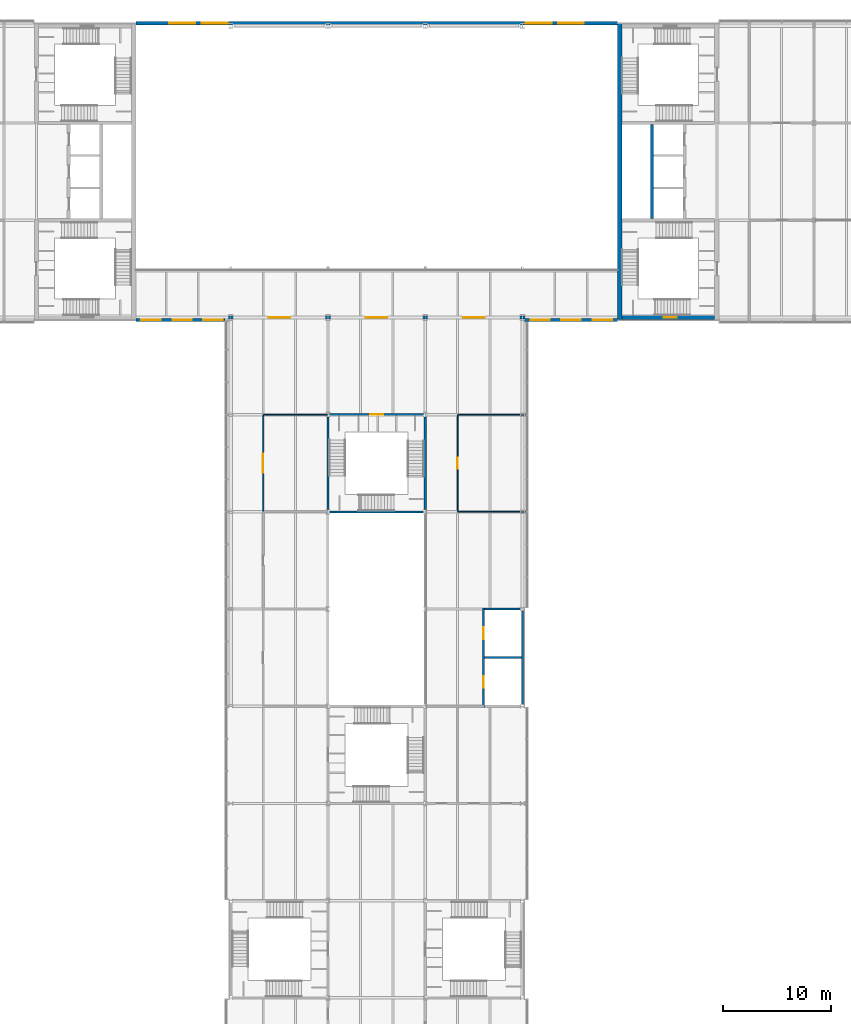
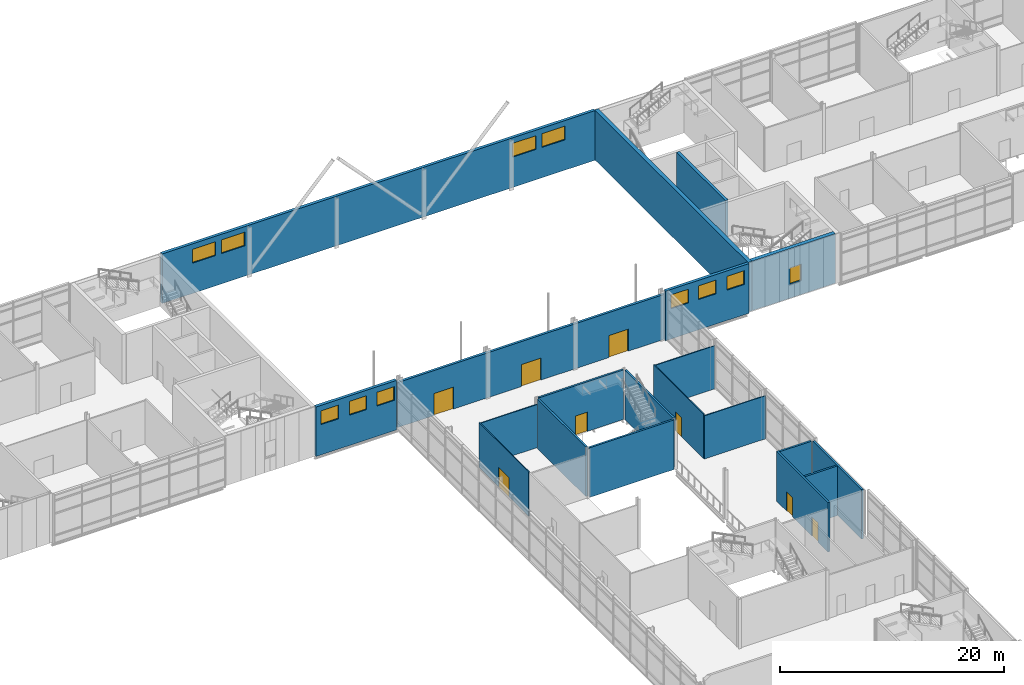
# One storey, part 41 of 56: 20 walls, 11 windows, 8 doors, 19 openings.
"""IFC4 building model written with IfcOpenShell, lengths in metres."""

from ifc_helpers import new_model, si_unit, direction, frame, frame_2d, origin, place, context, subcontext, project, spatial, rectangle, extrude, material, layer, layer_set, type_object, element, fill, save


model = new_model("IFC4")

# Units and contexts
model_context = context("Model", 3, precision=1e-05, world=origin(), true_north=direction((0.0, 1.0)))
body_context = subcontext(model_context, "Body", "Model", "MODEL_VIEW")
ifc_project = project(units=[si_unit("LENGTHUNIT", "METRE"), si_unit("AREAUNIT", "SQUARE_METRE"), si_unit("VOLUMEUNIT", "CUBIC_METRE"), si_unit("PLANEANGLEUNIT", "RADIAN"), si_unit("MASSUNIT", "GRAM", prefix="KILO")], contexts=[model_context])

# Site, building, storey
site_placement = place(None, origin())
site = spatial("IfcSite", under=ifc_project, at=site_placement, CompositionType="ELEMENT")
building_placement = place(site_placement, origin())
building = spatial("IfcBuilding", under=site, at=building_placement, Name="Azimuth Sports and Learning Centre", CompositionType="ELEMENT")
storey_placement = place(building_placement, frame((0.0, 0.0, 5.39990234375)))
storey = spatial("IfcBuildingStorey", under=building, at=storey_placement, Name="L01", CompositionType="ELEMENT", Elevation=5.39990234375)

# Wall
ifc_material_1 = material(Name="Dense masonry blockwork", Category="masonry")
ifc_layer_1 = layer(ifc_material_1, 0.199951171875)
ifc_layer_set_1 = layer_set([ifc_layer_1], Name="Dense masonry blockwork")
wall_type_1 = type_object("IfcWallType", Name="Blockwork wall 200 EI 120", PredefinedType="SOLIDWALL", material=ifc_layer_set_1)
wall_1_placement = place(storey_placement, frame((95.5, 58.5, 0.0), z_axis=(0.0, 0.0, 1.0), x_axis=(1.0, 0.0, 0.0)))
element("IfcWall", 1, at=wall_1_placement, inside=storey, type_object=wall_type_1, Name="SD-STL-1-L01", PredefinedType="SOLIDWALL", context=body_context, shape_type="SweptSolid", body=[
    extrude(rectangle(XDim=3.39990234375, YDim=0.199951171875, at=frame_2d((1.699951171875, 0.0))), origin(), (0.0, 0.0, 1.0), 5.400146484375),
])

# Wall, openings, windows
ifc_material_2 = material(Name="Insulated cladding wall")
ifc_layer_2 = layer(ifc_material_2, 0.300048828125)
ifc_layer_set_2 = layer_set([ifc_layer_2], Name="Insulated cladding wall")
wall_type_2 = type_object("IfcWallType", Name="Hall cladding wall 300", PredefinedType="SOLIDWALL", material=ifc_layer_set_2)
wall_2_placement = place(storey_placement, frame((63.199951171875, 89.760009765625, 0.0), z_axis=(0.0, 0.0, 1.0), x_axis=(1.0, 0.0, 0.0)))
wall_2 = element("IfcWall", 2, at=wall_2_placement, inside=storey, type_object=wall_type_2, Name="Hall wall S-HALL W L01", PredefinedType="SOLIDWALL", context=body_context, shape_type="SweptSolid", body=[
    extrude(rectangle(XDim=8.260009765625, YDim=0.300048828125, at=frame_2d((4.1298828125, 0.0))), origin(), (0.0, 0.0, 1.0), 5.400146484375),
])
opening_1_placement = place(wall_2_placement, frame((0.5, 0.0, 3.300048828125)))
opening_1 = element("IfcOpeningElement", 3, at=opening_1_placement, cuts=wall_2, Name="Opening W01-003", PredefinedType="OPENING", context=body_context, shape_type="SweptSolid", body=[
    extrude(rectangle(XDim=1.800048828125, YDim=1.5, at=frame_2d((0.89990234375, 0.75))), frame((0.0, 0.1611328125, 0.0), z_axis=(0.0, -1.0, 0.0), x_axis=(1.0, 0.0, 0.0)), (0.0, 0.0, 1.0), 0.322021484375),
])
opening_2_placement = place(wall_2_placement, frame((3.39990234375, 0.0, 3.300048828125)))
opening_2 = element("IfcOpeningElement", 4, at=opening_2_placement, cuts=wall_2, Name="Opening W01-004", PredefinedType="OPENING", context=body_context, shape_type="SweptSolid", body=[
    extrude(rectangle(XDim=1.800048828125, YDim=1.5, at=frame_2d((0.89990234375, 0.75))), frame((0.0, 0.1611328125, 0.0), z_axis=(0.0, -1.0, 0.0), x_axis=(1.0, 0.0, 0.0)), (0.0, 0.0, 1.0), 0.322021484375),
])
opening_3_placement = place(wall_2_placement, frame((6.25, 0.0, 3.300048828125)))
opening_3 = element("IfcOpeningElement", 5, at=opening_3_placement, cuts=wall_2, Name="Opening W01-005", PredefinedType="OPENING", context=body_context, shape_type="SweptSolid", body=[
    extrude(rectangle(XDim=1.800048828125, YDim=1.5, at=frame_2d((0.89990234375, 0.75))), frame((0.0, 0.1611328125, 0.0), z_axis=(0.0, -1.0, 0.0), x_axis=(1.0, 0.0, 0.0)), (0.0, 0.0, 1.0), 0.322021484375),
])
ifc_material_3 = material(Name="Aluminium and glass", Category="aluminium")
window_type_1 = type_object("IfcWindowType", Name="Hall A end bay window 1800x1500", PartitioningType="SINGLE_PANEL", PredefinedType="WINDOW", material=ifc_material_3)
window_1_placement = place(opening_1_placement, origin())
window_1 = element("IfcWindow", 6, at=window_1_placement, inside=storey, type_object=window_type_1, Name="Window W01-003", OverallHeight=1.5, OverallWidth=1.800048828125, PartitioningType="SINGLE_PANEL", PredefinedType="WINDOW", context=body_context, shape_type="SweptSolid", body=[
    extrude(rectangle(XDim=1.800048828125, YDim=1.5, at=frame_2d((0.89990234375, 0.75))), frame((0.0, 0.030029296875, 0.0), z_axis=(0.0, -1.0, 0.0), x_axis=(1.0, 0.0, 0.0)), (0.0, 0.0, 1.0), 0.06005859375),
])
fill(opening_1, window_1)
window_2_placement = place(opening_2_placement, origin())
window_2 = element("IfcWindow", 7, at=window_2_placement, inside=storey, type_object=window_type_1, Name="Window W01-004", OverallHeight=1.5, OverallWidth=1.800048828125, PartitioningType="SINGLE_PANEL", PredefinedType="WINDOW", context=body_context, shape_type="SweptSolid", body=[
    extrude(rectangle(XDim=1.800048828125, YDim=1.5, at=frame_2d((0.89990234375, 0.75))), frame((0.0, 0.030029296875, 0.0), z_axis=(0.0, -1.0, 0.0), x_axis=(1.0, 0.0, 0.0)), (0.0, 0.0, 1.0), 0.06005859375),
])
fill(opening_2, window_2)
window_3_placement = place(opening_3_placement, origin())
window_3 = element("IfcWindow", 8, at=window_3_placement, inside=storey, type_object=window_type_1, Name="Window W01-005", OverallHeight=1.5, OverallWidth=1.800048828125, PartitioningType="SINGLE_PANEL", PredefinedType="WINDOW", context=body_context, shape_type="SweptSolid", body=[
    extrude(rectangle(XDim=1.800048828125, YDim=1.5, at=frame_2d((0.89990234375, 0.75))), frame((0.0, 0.030029296875, 0.0), z_axis=(0.0, -1.0, 0.0), x_axis=(1.0, 0.0, 0.0)), (0.0, 0.0, 1.0), 0.06005859375),
])
fill(opening_3, window_3)

wall_3_placement = place(storey_placement, frame((99.199951171875, 89.760009765625, 0.0), z_axis=(0.0, 0.0, 1.0), x_axis=(1.0, 0.0, 0.0)))
wall_3 = element("IfcWall", 9, at=wall_3_placement, inside=storey, type_object=wall_type_2, Name="Hall wall S-HALL E L01", PredefinedType="SOLIDWALL", context=body_context, shape_type="SweptSolid", body=[
    extrude(rectangle(XDim=8.60009765625, YDim=0.300048828125, at=frame_2d((4.300048828125, 0.0))), origin(), (0.0, 0.0, 1.0), 5.400146484375),
])
opening_4_placement = place(wall_3_placement, frame((0.550048828125, 0.0, 3.300048828125)))
opening_4 = element("IfcOpeningElement", 10, at=opening_4_placement, cuts=wall_3, Name="Opening W01-006", PredefinedType="OPENING", context=body_context, shape_type="SweptSolid", body=[
    extrude(rectangle(XDim=1.800048828125, YDim=1.5, at=frame_2d((0.89990234375, 0.75))), frame((0.0, 0.1611328125, 0.0), z_axis=(0.0, -1.0, 0.0), x_axis=(1.0, 0.0, 0.0)), (0.0, 0.0, 1.0), 0.322021484375),
])
opening_5_placement = place(wall_3_placement, frame((3.39990234375, 0.0, 3.300048828125)))
opening_5 = element("IfcOpeningElement", 11, at=opening_5_placement, cuts=wall_3, Name="Opening W01-007", PredefinedType="OPENING", context=body_context, shape_type="SweptSolid", body=[
    extrude(rectangle(XDim=1.800048828125, YDim=1.5, at=frame_2d((0.89990234375, 0.75))), frame((0.0, 0.1611328125, 0.0), z_axis=(0.0, -1.0, 0.0), x_axis=(1.0, 0.0, 0.0)), (0.0, 0.0, 1.0), 0.322021484375),
])
opening_6_placement = place(wall_3_placement, frame((6.300048828125, 0.0, 3.300048828125)))
opening_6 = element("IfcOpeningElement", 12, at=opening_6_placement, cuts=wall_3, Name="Opening W01-008", PredefinedType="OPENING", context=body_context, shape_type="SweptSolid", body=[
    extrude(rectangle(XDim=1.800048828125, YDim=1.5, at=frame_2d((0.89990234375, 0.75))), frame((0.0, 0.1611328125, 0.0), z_axis=(0.0, -1.0, 0.0), x_axis=(1.0, 0.0, 0.0)), (0.0, 0.0, 1.0), 0.322021484375),
])
window_4_placement = place(opening_4_placement, origin())
window_4 = element("IfcWindow", 13, at=window_4_placement, inside=storey, type_object=window_type_1, Name="Window W01-006", OverallHeight=1.5, OverallWidth=1.800048828125, PartitioningType="SINGLE_PANEL", PredefinedType="WINDOW", context=body_context, shape_type="SweptSolid", body=[
    extrude(rectangle(XDim=1.800048828125, YDim=1.5, at=frame_2d((0.89990234375, 0.75))), frame((0.0, 0.030029296875, 0.0), z_axis=(0.0, -1.0, 0.0), x_axis=(1.0, 0.0, 0.0)), (0.0, 0.0, 1.0), 0.06005859375),
])
fill(opening_4, window_4)
window_5_placement = place(opening_5_placement, origin())
window_5 = element("IfcWindow", 14, at=window_5_placement, inside=storey, type_object=window_type_1, Name="Window W01-007", OverallHeight=1.5, OverallWidth=1.800048828125, PartitioningType="SINGLE_PANEL", PredefinedType="WINDOW", context=body_context, shape_type="SweptSolid", body=[
    extrude(rectangle(XDim=1.800048828125, YDim=1.5, at=frame_2d((0.89990234375, 0.75))), frame((0.0, 0.030029296875, 0.0), z_axis=(0.0, -1.0, 0.0), x_axis=(1.0, 0.0, 0.0)), (0.0, 0.0, 1.0), 0.06005859375),
])
fill(opening_5, window_5)
window_6_placement = place(opening_6_placement, origin())
window_6 = element("IfcWindow", 15, at=window_6_placement, inside=storey, type_object=window_type_1, Name="Window W01-008", OverallHeight=1.5, OverallWidth=1.800048828125, PartitioningType="SINGLE_PANEL", PredefinedType="WINDOW", context=body_context, shape_type="SweptSolid", body=[
    extrude(rectangle(XDim=1.800048828125, YDim=1.5, at=frame_2d((0.89990234375, 0.75))), frame((0.0, 0.030029296875, 0.0), z_axis=(0.0, -1.0, 0.0), x_axis=(1.0, 0.0, 0.0)), (0.0, 0.0, 1.0), 0.06005859375),
])
fill(opening_6, window_6)

wall_4_placement = place(storey_placement, frame((107.800048828125, 117.239990234375, 0.0), z_axis=(0.0, 0.0, 1.0), x_axis=(-1.0, 0.0, 0.0)))
wall_4 = element("IfcWall", 16, at=wall_4_placement, inside=storey, type_object=wall_type_2, Name="Hall wall N-HALL L01", PredefinedType="SOLIDWALL", context=body_context, shape_type="SweptSolid", body=[
    extrude(rectangle(XDim=44.60009765625, YDim=0.300048828125, at=frame_2d((22.300048828125, 0.0))), origin(), (0.0, 0.0, 1.0), 5.400146484375),
])
opening_7_placement = place(wall_4_placement, frame((3.10009765625, 0.0, 3.300048828125)))
opening_7 = element("IfcOpeningElement", 17, at=opening_7_placement, cuts=wall_4, Name="Opening W01-013", PredefinedType="OPENING", context=body_context, shape_type="SweptSolid", body=[
    extrude(rectangle(XDim=2.39990234375, YDim=1.5, at=frame_2d((1.199951171875, 0.75))), frame((0.0, 0.1611328125, 0.0), z_axis=(0.0, -1.0, 0.0), x_axis=(1.0, 0.0, 0.0)), (0.0, 0.0, 1.0), 0.322021484375),
])
opening_8_placement = place(wall_4_placement, frame((6.10009765625, 0.0, 3.300048828125)))
opening_8 = element("IfcOpeningElement", 18, at=opening_8_placement, cuts=wall_4, Name="Opening W01-014", PredefinedType="OPENING", context=body_context, shape_type="SweptSolid", body=[
    extrude(rectangle(XDim=2.39990234375, YDim=1.5, at=frame_2d((1.199951171875, 0.75))), frame((0.0, 0.1611328125, 0.0), z_axis=(0.0, -1.0, 0.0), x_axis=(1.0, 0.0, 0.0)), (0.0, 0.0, 1.0), 0.322021484375),
])
opening_9_placement = place(wall_4_placement, frame((36.10009765625, 0.0, 3.300048828125)))
opening_9 = element("IfcOpeningElement", 19, at=opening_9_placement, cuts=wall_4, Name="Opening W01-015", PredefinedType="OPENING", context=body_context, shape_type="SweptSolid", body=[
    extrude(rectangle(XDim=2.39990234375, YDim=1.5, at=frame_2d((1.199951171875, 0.75))), frame((0.0, 0.1611328125, 0.0), z_axis=(0.0, -1.0, 0.0), x_axis=(1.0, 0.0, 0.0)), (0.0, 0.0, 1.0), 0.322021484375),
])
opening_10_placement = place(wall_4_placement, frame((39.10009765625, 0.0, 3.300048828125)))
opening_10 = element("IfcOpeningElement", 20, at=opening_10_placement, cuts=wall_4, Name="Opening W01-016", PredefinedType="OPENING", context=body_context, shape_type="SweptSolid", body=[
    extrude(rectangle(XDim=2.39990234375, YDim=1.5, at=frame_2d((1.199951171875, 0.75))), frame((0.0, 0.1611328125, 0.0), z_axis=(0.0, -1.0, 0.0), x_axis=(1.0, 0.0, 0.0)), (0.0, 0.0, 1.0), 0.322021484375),
])
ifc_material_4 = material(Name="Aluminium and glass", Category="aluminium")
window_type_2 = type_object("IfcWindowType", Name="Hall A clerestory window 2400x1500", PartitioningType="SINGLE_PANEL", PredefinedType="WINDOW", material=ifc_material_4)
window_7_placement = place(opening_7_placement, origin())
window_7 = element("IfcWindow", 21, at=window_7_placement, inside=storey, type_object=window_type_2, Name="Window W01-013", OverallHeight=1.5, OverallWidth=2.39990234375, PartitioningType="SINGLE_PANEL", PredefinedType="WINDOW", context=body_context, shape_type="SweptSolid", body=[
    extrude(rectangle(XDim=2.39990234375, YDim=1.5, at=frame_2d((1.199951171875, 0.75))), frame((0.0, 0.030029296875, 0.0), z_axis=(0.0, -1.0, 0.0), x_axis=(1.0, 0.0, 0.0)), (0.0, 0.0, 1.0), 0.06005859375),
])
fill(opening_7, window_7)
window_8_placement = place(opening_8_placement, origin())
window_8 = element("IfcWindow", 22, at=window_8_placement, inside=storey, type_object=window_type_2, Name="Window W01-014", OverallHeight=1.5, OverallWidth=2.39990234375, PartitioningType="SINGLE_PANEL", PredefinedType="WINDOW", context=body_context, shape_type="SweptSolid", body=[
    extrude(rectangle(XDim=2.39990234375, YDim=1.5, at=frame_2d((1.199951171875, 0.75))), frame((0.0, 0.030029296875, 0.0), z_axis=(0.0, -1.0, 0.0), x_axis=(1.0, 0.0, 0.0)), (0.0, 0.0, 1.0), 0.06005859375),
])
fill(opening_8, window_8)
window_9_placement = place(opening_9_placement, origin())
window_9 = element("IfcWindow", 23, at=window_9_placement, inside=storey, type_object=window_type_2, Name="Window W01-015", OverallHeight=1.5, OverallWidth=2.39990234375, PartitioningType="SINGLE_PANEL", PredefinedType="WINDOW", context=body_context, shape_type="SweptSolid", body=[
    extrude(rectangle(XDim=2.39990234375, YDim=1.5, at=frame_2d((1.199951171875, 0.75))), frame((0.0, 0.030029296875, 0.0), z_axis=(0.0, -1.0, 0.0), x_axis=(1.0, 0.0, 0.0)), (0.0, 0.0, 1.0), 0.06005859375),
])
fill(opening_9, window_9)
window_10_placement = place(opening_10_placement, origin())
window_10 = element("IfcWindow", 24, at=window_10_placement, inside=storey, type_object=window_type_2, Name="Window W01-016", OverallHeight=1.5, OverallWidth=2.39990234375, PartitioningType="SINGLE_PANEL", PredefinedType="WINDOW", context=body_context, shape_type="SweptSolid", body=[
    extrude(rectangle(XDim=2.39990234375, YDim=1.5, at=frame_2d((1.199951171875, 0.75))), frame((0.0, 0.030029296875, 0.0), z_axis=(0.0, -1.0, 0.0), x_axis=(1.0, 0.0, 0.0)), (0.0, 0.0, 1.0), 0.06005859375),
])
fill(opening_10, window_10)

# Wall, openings, doors
ifc_material_5 = material(Name="Reinforced masonry blockwork", Category="masonry")
ifc_layer_3 = layer(ifc_material_5, 0.25)
ifc_layer_set_3 = layer_set([ifc_layer_3], Name="Reinforced masonry blockwork")
wall_type_3 = type_object("IfcWallType", Name="Hall wall 250 EI 60", PredefinedType="SOLIDWALL", material=ifc_layer_set_3)
wall_5_placement = place(storey_placement, frame((71.699951171875, 90.0, 0.0), z_axis=(0.0, 0.0, 1.0), x_axis=(1.0, 0.0, 0.0)))
wall_5 = element("IfcWall", 25, at=wall_5_placement, inside=storey, type_object=wall_type_3, Name="Hall wall 250 EI 60", PredefinedType="SOLIDWALL", context=body_context, shape_type="SweptSolid", body=[
    extrude(rectangle(XDim=27.60009765625, YDim=0.25, at=frame_2d((13.800048828125, 0.0))), origin(), (0.0, 0.0, 1.0), 4.900146484375),
])
opening_11_placement = place(wall_5_placement, frame((3.800048828125, 0.0, 0.0)))
opening_11 = element("IfcOpeningElement", 26, at=opening_11_placement, cuts=wall_5, Name="Opening D01-065", PredefinedType="OPENING", context=body_context, shape_type="SweptSolid", body=[
    extrude(rectangle(XDim=2.0, YDim=2.39990234375, at=frame_2d((1.0, 1.199951171875))), frame((0.0, 0.135986328125, 0.0), z_axis=(0.0, -1.0, 0.0), x_axis=(1.0, 0.0, 0.0)), (0.0, 0.0, 1.0), 0.27197265625),
])
opening_12_placement = place(wall_5_placement, frame((12.800048828125, 0.0, 0.0)))
opening_12 = element("IfcOpeningElement", 27, at=opening_12_placement, cuts=wall_5, Name="Opening D01-066", PredefinedType="OPENING", context=body_context, shape_type="SweptSolid", body=[
    extrude(rectangle(XDim=2.0, YDim=2.39990234375, at=frame_2d((1.0, 1.199951171875))), frame((0.0, 0.135986328125, 0.0), z_axis=(0.0, -1.0, 0.0), x_axis=(1.0, 0.0, 0.0)), (0.0, 0.0, 1.0), 0.27197265625),
])
opening_13_placement = place(wall_5_placement, frame((21.800048828125, 0.0, 0.0)))
opening_13 = element("IfcOpeningElement", 28, at=opening_13_placement, cuts=wall_5, Name="Opening D01-067", PredefinedType="OPENING", context=body_context, shape_type="SweptSolid", body=[
    extrude(rectangle(XDim=2.0, YDim=2.39990234375, at=frame_2d((1.0, 1.199951171875))), frame((0.0, 0.135986328125, 0.0), z_axis=(0.0, -1.0, 0.0), x_axis=(1.0, 0.0, 0.0)), (0.0, 0.0, 1.0), 0.27197265625),
])
ifc_material_6 = material(Name="Steel fire door set", Category="steel")
door_type_1 = type_object("IfcDoorType", Name="Steel door double 2000x2400 FD60", OperationType="DOUBLE_DOOR_SINGLE_SWING", PredefinedType="DOOR", material=ifc_material_6)
door_1_placement = place(opening_11_placement, frame((2.0, 0.0, 0.0), z_axis=(0.0, 0.0, 1.0), x_axis=(-1.0, 0.0, 0.0)))
door_1 = element("IfcDoor", 29, at=door_1_placement, inside=storey, type_object=door_type_1, Name="Door D01-065", OperationType="DOUBLE_DOOR_SINGLE_SWING", OverallHeight=2.39990234375, OverallWidth=2.0, PredefinedType="DOOR", context=body_context, shape_type="SweptSolid", body=[
    extrude(rectangle(XDim=2.0, YDim=2.39990234375, at=frame_2d((1.0, 1.199951171875))), frame((0.0, 0.02490234375, 0.0), z_axis=(0.0, -1.0, 0.0), x_axis=(1.0, 0.0, 0.0)), (0.0, 0.0, 1.0), 0.050048828125),
])
fill(opening_11, door_1)
door_2_placement = place(opening_12_placement, frame((2.0, 0.0, 0.0), z_axis=(0.0, 0.0, 1.0), x_axis=(-1.0, 0.0, 0.0)))
door_2 = element("IfcDoor", 30, at=door_2_placement, inside=storey, type_object=door_type_1, Name="Door D01-066", OperationType="DOUBLE_DOOR_SINGLE_SWING", OverallHeight=2.39990234375, OverallWidth=2.0, PredefinedType="DOOR", context=body_context, shape_type="SweptSolid", body=[
    extrude(rectangle(XDim=2.0, YDim=2.39990234375, at=frame_2d((1.0, 1.199951171875))), frame((0.0, 0.02490234375, 0.0), z_axis=(0.0, -1.0, 0.0), x_axis=(1.0, 0.0, 0.0)), (0.0, 0.0, 1.0), 0.050048828125),
])
fill(opening_12, door_2)
door_3_placement = place(opening_13_placement, frame((2.0, 0.0, 0.0), z_axis=(0.0, 0.0, 1.0), x_axis=(-1.0, 0.0, 0.0)))
door_3 = element("IfcDoor", 31, at=door_3_placement, inside=storey, type_object=door_type_1, Name="Door D01-067", OperationType="DOUBLE_DOOR_SINGLE_SWING", OverallHeight=2.39990234375, OverallWidth=2.0, PredefinedType="DOOR", context=body_context, shape_type="SweptSolid", body=[
    extrude(rectangle(XDim=2.0, YDim=2.39990234375, at=frame_2d((1.0, 1.199951171875))), frame((0.0, 0.02490234375, 0.0), z_axis=(0.0, -1.0, 0.0), x_axis=(1.0, 0.0, 0.0)), (0.0, 0.0, 1.0), 0.050048828125),
])
fill(opening_13, door_3)

# Walls
ifc_material_7 = material(Name="Gypsum board on steel studs", Category="steel")
ifc_layer_4 = layer(ifc_material_7, 0.10009765625)
ifc_layer_set_4 = layer_set([ifc_layer_4], Name="Gypsum board on steel studs")
wall_type_4 = type_object("IfcWallType", Name="Partition 100 EI 30", PredefinedType="PARTITIONING", material=ifc_layer_set_4)
wall_6_placement = place(storey_placement, frame((93.0, 72.0, 0.0), z_axis=(0.0, 0.0, 1.0), x_axis=(1.0, 0.0, 0.0)))
element("IfcWall", 32, at=wall_6_placement, inside=storey, type_object=wall_type_4, Name="Partition 100 EI 30", PredefinedType="PARTITIONING", context=body_context, shape_type="SweptSolid", body=[
    extrude(rectangle(XDim=6.300048828125, YDim=0.10009765625, at=frame_2d((3.14990234375, 0.0))), origin(), (0.0, 0.0, 1.0), 4.7001953125),
])
wall_7_placement = place(storey_placement, frame((75.0, 81.0, 0.0), z_axis=(0.0, 0.0, 1.0), x_axis=(1.0, 0.0, 0.0)))
element("IfcWall", 33, at=wall_7_placement, inside=storey, type_object=wall_type_4, Name="Partition 100 EI 30", PredefinedType="PARTITIONING", context=body_context, shape_type="SweptSolid", body=[
    extrude(rectangle(XDim=6.0, YDim=0.10009765625, at=frame_2d((3.0, 0.0))), origin(), (0.0, 0.0, 1.0), 4.7001953125),
])
wall_8_placement = place(storey_placement, frame((93.0, 81.0, 0.0), z_axis=(0.0, 0.0, 1.0), x_axis=(1.0, 0.0, 0.0)))
element("IfcWall", 34, at=wall_8_placement, inside=storey, type_object=wall_type_4, Name="Partition 100 EI 30", PredefinedType="PARTITIONING", context=body_context, shape_type="SweptSolid", body=[
    extrude(rectangle(XDim=6.300048828125, YDim=0.10009765625, at=frame_2d((3.14990234375, 0.0))), origin(), (0.0, 0.0, 1.0), 4.7001953125),
])

# Wall, opening, door
wall_9_placement = place(storey_placement, frame((75.0, 72.074951171875, 0.0), z_axis=(0.0, 0.0, 1.0), x_axis=(0.0, 1.0, 0.0)))
wall_9 = element("IfcWall", 35, at=wall_9_placement, inside=storey, type_object=wall_type_4, Name="Partition 100 EI 30", PredefinedType="PARTITIONING", context=body_context, shape_type="SweptSolid", body=[
    extrude(rectangle(XDim=8.875, YDim=0.10009765625, at=frame_2d((4.4375, 0.0))), origin(), (0.0, 0.0, 1.0), 4.85009765625),
])
opening_14_placement = place(wall_9_placement, frame((3.52490234375, 0.0, 0.0)))
opening_14 = element("IfcOpeningElement", 36, at=opening_14_placement, cuts=wall_9, Name="Opening D01-063", PredefinedType="OPENING", context=body_context, shape_type="SweptSolid", body=[
    extrude(rectangle(XDim=1.800048828125, YDim=2.10009765625, at=frame_2d((0.89990234375, 1.050048828125))), frame((0.0, 0.06103515625, 0.0), z_axis=(0.0, -1.0, 0.0), x_axis=(1.0, 0.0, 0.0)), (0.0, 0.0, 1.0), 0.1220703125),
])
ifc_material_8 = material(Name="Timber fire door set", Category="wood")
door_type_2 = type_object("IfcDoorType", Name="Timber door double 1800x2100 FD30S", OperationType="DOUBLE_DOOR_SINGLE_SWING", PredefinedType="DOOR", material=ifc_material_8)
door_4_placement = place(opening_14_placement, frame((1.800048828125, 0.0, 0.0), z_axis=(0.0, 0.0, 1.0), x_axis=(-1.0, 0.0, 0.0)))
door_4 = element("IfcDoor", 37, at=door_4_placement, inside=storey, type_object=door_type_2, Name="Door D01-063", OperationType="DOUBLE_DOOR_SINGLE_SWING", OverallHeight=2.10009765625, OverallWidth=1.800048828125, PredefinedType="DOOR", context=body_context, shape_type="SweptSolid", body=[
    extrude(rectangle(XDim=1.800048828125, YDim=2.10009765625, at=frame_2d((0.89990234375, 1.050048828125))), frame((0.0, 0.02490234375, 0.0), z_axis=(0.0, -1.0, 0.0), x_axis=(1.0, 0.0, 0.0)), (0.0, 0.0, 1.0), 0.050048828125),
])
fill(opening_14, door_4)

wall_10_placement = place(storey_placement, frame((93.0, 72.050048828125, 0.0), z_axis=(0.0, 0.0, 1.0), x_axis=(0.0, 1.0, 0.0)))
wall_10 = element("IfcWall", 38, at=wall_10_placement, inside=storey, type_object=wall_type_4, Name="Partition 100 EI 30", PredefinedType="PARTITIONING", context=body_context, shape_type="SweptSolid", body=[
    extrude(rectangle(XDim=8.89990234375, YDim=0.10009765625, at=frame_2d((4.449951171875, 0.0))), origin(), (0.0, 0.0, 1.0), 4.85009765625),
])
opening_15_placement = place(wall_10_placement, frame((3.949951171875, 0.0, 0.0)))
opening_15 = element("IfcOpeningElement", 39, at=opening_15_placement, cuts=wall_10, Name="Opening D01-064", PredefinedType="OPENING", context=body_context, shape_type="SweptSolid", body=[
    extrude(rectangle(XDim=1.0, YDim=2.10009765625, at=frame_2d((0.5, 1.050048828125))), frame((0.0, 0.06103515625, 0.0), z_axis=(0.0, -1.0, 0.0), x_axis=(1.0, 0.0, 0.0)), (0.0, 0.0, 1.0), 0.1220703125),
])
ifc_material_9 = material(Name="Timber fire door set", Category="wood")
door_type_3 = type_object("IfcDoorType", Name="Timber door single 1000x2100 FD30S", OperationType="NOTDEFINED", PredefinedType="DOOR", material=ifc_material_9)
door_5_placement = place(opening_15_placement, frame((1.0, 0.0, 0.0), z_axis=(0.0, 0.0, 1.0), x_axis=(-1.0, 0.0, 0.0)))
door_5 = element("IfcDoor", 40, at=door_5_placement, inside=storey, type_object=door_type_3, Name="Door D01-064", OperationType="SINGLE_SWING_RIGHT", OverallHeight=2.10009765625, OverallWidth=1.0, PredefinedType="DOOR", context=body_context, shape_type="SweptSolid", body=[
    extrude(rectangle(XDim=1.0, YDim=2.10009765625, at=frame_2d((0.5, 1.050048828125))), frame((0.0, 0.02490234375, 0.0), z_axis=(0.0, -1.0, 0.0), x_axis=(1.0, 0.0, 0.0)), (0.0, 0.0, 1.0), 0.050048828125),
])
fill(opening_15, door_5)

# Wall
ifc_material_10 = material(Name="Concrete C40/50", Category="concrete")
ifc_layer_5 = layer(ifc_material_10, 0.199951171875)
ifc_layer_set_5 = layer_set([ifc_layer_5], Name="Concrete C40/50")
wall_type_5 = type_object("IfcWallType", Name="RC cell wall 200 EI 120", PredefinedType="SHEAR", material=ifc_layer_set_5)
wall_11_placement = place(storey_placement, frame((81.14990234375, 72.0, 0.0), z_axis=(0.0, 0.0, 1.0), x_axis=(1.0, 0.0, 0.0)))
element("IfcWall", 41, at=wall_11_placement, inside=storey, type_object=wall_type_5, Name="CE-STD-S-L01", PredefinedType="SHEAR", context=body_context, shape_type="SweptSolid", body=[
    extrude(rectangle(XDim=8.7001953125, YDim=0.199951171875, at=frame_2d((4.35009765625, 0.0))), origin(), (0.0, 0.0, 1.0), 5.400146484375),
])

# Wall, opening, door
wall_12_placement = place(storey_placement, frame((81.14990234375, 81.0, 0.0), z_axis=(0.0, 0.0, 1.0), x_axis=(1.0, 0.0, 0.0)))
wall_12 = element("IfcWall", 42, at=wall_12_placement, inside=storey, type_object=wall_type_5, Name="CE-STD-N-L01", PredefinedType="SHEAR", context=body_context, shape_type="SweptSolid", body=[
    extrude(rectangle(XDim=8.7001953125, YDim=0.199951171875, at=frame_2d((4.35009765625, 0.0))), origin(), (0.0, 0.0, 1.0), 5.400146484375),
])
opening_16_placement = place(wall_12_placement, frame((3.75, 0.0, 0.0)))
opening_16 = element("IfcOpeningElement", 43, at=opening_16_placement, cuts=wall_12, Name="Opening D01-021", PredefinedType="OPENING", context=body_context, shape_type="SweptSolid", body=[
    extrude(rectangle(XDim=1.199951171875, YDim=2.10009765625, at=frame_2d((0.60009765625, 1.050048828125))), frame((0.0, 0.11083984375, 0.0), z_axis=(0.0, -1.0, 0.0), x_axis=(1.0, 0.0, 0.0)), (0.0, 0.0, 1.0), 0.221923828125),
])
ifc_material_11 = material(Name="Steel", Category="steel")
door_type_4 = type_object("IfcDoorType", Name="Stair fire door 1200 x 2100", OperationType="NOTDEFINED", PredefinedType="DOOR", material=ifc_material_11)
door_6_placement = place(opening_16_placement, origin())
door_6 = element("IfcDoor", 44, at=door_6_placement, inside=storey, type_object=door_type_4, Name="Stair door STD L01", OperationType="SINGLE_SWING_RIGHT", OverallHeight=2.10009765625, OverallWidth=1.199951171875, PredefinedType="DOOR", context=body_context, shape_type="SweptSolid", body=[
    extrude(rectangle(XDim=1.199951171875, YDim=2.10009765625, at=frame_2d((0.60009765625, 1.050048828125))), frame((0.0, 0.02490234375, 0.0), z_axis=(0.0, -1.0, 0.0), x_axis=(1.0, 0.0, 0.0)), (0.0, 0.0, 1.0), 0.050048828125),
])
fill(opening_16, door_6)

# Walls
for number, where, z_axis, x_axis, name in (
    (45, (81.0, 72.199951171875, 0.0), (0.0, 0.0, 1.0), (0.0, 1.0, 0.0), "CE-STD-W-L01"),
    (46, (90.0, 72.199951171875, 0.0), (0.0, 0.0, 1.0), (0.0, 1.0, 0.0), "CE-STD-E-L01"),
):
    element("IfcWall", number, at=place(storey_placement, frame(where, z_axis=z_axis, x_axis=x_axis)), inside=storey, type_object=wall_type_5, Name=name, PredefinedType="SHEAR", context=body_context, shape_type="SweptSolid", body=[
        extrude(rectangle(XDim=8.60009765625, YDim=0.199951171875, at=frame_2d((4.300048828125, 0.0))), origin(), (0.0, 0.0, 1.0), 5.400146484375),
    ])
wall_13_placement = place(storey_placement, frame((95.5, 63.0, 0.0), z_axis=(0.0, 0.0, 1.0), x_axis=(1.0, 0.0, 0.0)))
element("IfcWall", 47, at=wall_13_placement, inside=storey, type_object=wall_type_5, Name="CE-STL-N-L01", PredefinedType="SHEAR", context=body_context, shape_type="SweptSolid", body=[
    extrude(rectangle(XDim=3.300048828125, YDim=0.199951171875, at=frame_2d((1.64990234375, 0.0))), origin(), (0.0, 0.0, 1.0), 5.400146484375),
])

# Wall, openings, doors
wall_14_placement = place(storey_placement, frame((95.39990234375, 53.89990234375, 0.0), z_axis=(0.0, 0.0, 1.0), x_axis=(0.0, 1.0, 0.0)))
wall_14 = element("IfcWall", 48, at=wall_14_placement, inside=storey, type_object=wall_type_5, Name="CE-STL-W-L01", PredefinedType="SHEAR", context=body_context, shape_type="SweptSolid", body=[
    extrude(rectangle(XDim=9.2001953125, YDim=0.199951171875, at=frame_2d((4.60009765625, 0.0))), origin(), (0.0, 0.0, 1.0), 5.400146484375),
])
opening_17_placement = place(wall_14_placement, frame((1.800048828125, 0.0, 0.0)))
opening_17 = element("IfcOpeningElement", 49, at=opening_17_placement, cuts=wall_14, Name="Opening D01-032", PredefinedType="OPENING", context=body_context, shape_type="SweptSolid", body=[
    extrude(rectangle(XDim=1.10009765625, YDim=2.10009765625, at=frame_2d((0.550048828125, 1.050048828125))), frame((0.0, 0.11083984375, 0.0), z_axis=(0.0, -1.0, 0.0), x_axis=(1.0, 0.0, 0.0)), (0.0, 0.0, 1.0), 0.221923828125),
])
opening_18_placement = place(wall_14_placement, frame((6.300048828125, 0.0, 0.0)))
opening_18 = element("IfcOpeningElement", 50, at=opening_18_placement, cuts=wall_14, Name="Opening D01-033", PredefinedType="OPENING", context=body_context, shape_type="SweptSolid", body=[
    extrude(rectangle(XDim=1.10009765625, YDim=2.10009765625, at=frame_2d((0.550048828125, 1.050048828125))), frame((0.0, 0.11083984375, 0.0), z_axis=(0.0, -1.0, 0.0), x_axis=(1.0, 0.0, 0.0)), (0.0, 0.0, 1.0), 0.221923828125),
])
ifc_material_12 = material(Name="Stainless steel", Category="steel")
door_type_5 = type_object("IfcDoorType", Name="Lift landing door 1100 x 2100", OperationType="DOUBLE_DOOR_SLIDING", PredefinedType="DOOR", material=ifc_material_12)
door_7_placement = place(opening_17_placement, origin())
door_7 = element("IfcDoor", 51, at=door_7_placement, inside=storey, type_object=door_type_5, Name="Landing door LS1 L01", OperationType="DOUBLE_DOOR_SLIDING", OverallHeight=2.10009765625, OverallWidth=1.10009765625, PredefinedType="DOOR", context=body_context, shape_type="SweptSolid", body=[
    extrude(rectangle(XDim=1.10009765625, YDim=2.10009765625, at=frame_2d((0.550048828125, 1.050048828125))), frame((0.0, 0.02490234375, 0.0), z_axis=(0.0, -1.0, 0.0), x_axis=(1.0, 0.0, 0.0)), (0.0, 0.0, 1.0), 0.050048828125),
])
fill(opening_17, door_7)
door_8_placement = place(opening_18_placement, origin())
door_8 = element("IfcDoor", 52, at=door_8_placement, inside=storey, type_object=door_type_5, Name="Landing door LS2 L01", OperationType="DOUBLE_DOOR_SLIDING", OverallHeight=2.10009765625, OverallWidth=1.10009765625, PredefinedType="DOOR", context=body_context, shape_type="SweptSolid", body=[
    extrude(rectangle(XDim=1.10009765625, YDim=2.10009765625, at=frame_2d((0.550048828125, 1.050048828125))), frame((0.0, 0.02490234375, 0.0), z_axis=(0.0, -1.0, 0.0), x_axis=(1.0, 0.0, 0.0)), (0.0, 0.0, 1.0), 0.050048828125),
])
fill(opening_18, door_8)

# Walls
ifc_material_13 = material(Name="Concrete C40/50", Category="concrete")
ifc_layer_6 = layer(ifc_material_13, 0.300048828125)
ifc_layer_set_6 = layer_set([ifc_layer_6], Name="Concrete C40/50")
wall_type_6 = type_object("IfcWallType", Name="RC core wall 300", PredefinedType="SHEAR", material=ifc_layer_set_6)
wall_15_placement = place(storey_placement, frame((111.0, 99.14990234375, 0.0), z_axis=(0.0, 0.0, 1.0), x_axis=(0.0, 1.0, 0.0)))
element("IfcWall", 53, at=wall_15_placement, inside=storey, type_object=wall_type_6, Name="Core wall E LB1 L01", PredefinedType="SHEAR", context=body_context, shape_type="SweptSolid", body=[
    extrude(rectangle(XDim=8.7001953125, YDim=0.300048828125, at=frame_2d((4.35009765625, 0.0))), origin(), (0.0, 0.0, 1.0), 5.400146484375),
])
ifc_material_14 = material(Name="Concrete C40/50", Category="concrete")
ifc_layer_7 = layer(ifc_material_14, 0.39990234375)
ifc_layer_set_7 = layer_set([ifc_layer_7], Name="Concrete C40/50")
wall_type_7 = type_object("IfcWallType", Name="RC core wall 400", PredefinedType="SHEAR", material=ifc_layer_set_7)
wall_16_placement = place(storey_placement, frame((108.0, 89.800048828125, 0.0), z_axis=(0.0, 0.0, 1.0), x_axis=(0.0, 1.0, 0.0)))
element("IfcWall", 54, at=wall_16_placement, inside=storey, type_object=wall_type_7, Name="Core wall E W L01", PredefinedType="SHEAR", context=body_context, shape_type="SweptSolid", body=[
    extrude(rectangle(XDim=27.39990234375, YDim=0.39990234375, at=frame_2d((13.699951171875, 0.0))), origin(), (0.0, 0.0, 1.0), 5.400146484375),
])
ifc_material_15 = material(Name="Concrete C40/50", Category="concrete")
ifc_layer_8 = layer(ifc_material_15, 0.199951171875)
ifc_layer_set_8 = layer_set([ifc_layer_8], Name="Concrete C40/50")
wall_type_8 = type_object("IfcWallType", Name="RC external cell wall 200 EI 120", PredefinedType="SHEAR", material=ifc_layer_set_8)
wall_17_placement = place(storey_placement, frame((99.0, 54.14990234375, 0.0), z_axis=(0.0, 0.0, 1.0), x_axis=(0.0, 1.0, 0.0)))
element("IfcWall", 55, at=wall_17_placement, inside=storey, type_object=wall_type_8, Name="CE-STL-E-L01", PredefinedType="SHEAR", context=body_context, shape_type="SweptSolid", body=[
    extrude(rectangle(XDim=8.7001953125, YDim=0.199951171875, at=frame_2d((4.35009765625, 0.0))), origin(), (0.0, 0.0, 1.0), 5.400146484375),
])

# Wall, opening, window
ifc_material_16 = material(Name="Concrete C40/50", Category="concrete")
ifc_layer_9 = layer(ifc_material_16, 0.39990234375)
ifc_layer_set_9 = layer_set([ifc_layer_9], Name="Concrete C40/50")
wall_type_9 = type_object("IfcWallType", Name="RC external core wall 400", PredefinedType="SHEAR", material=ifc_layer_set_9)
wall_18_placement = place(storey_placement, frame((108.199951171875, 90.0, 0.0), z_axis=(0.0, 0.0, 1.0), x_axis=(1.0, 0.0, 0.0)))
wall_18 = element("IfcWall", 56, at=wall_18_placement, inside=storey, type_object=wall_type_9, Name="Core wall E S L01", PredefinedType="SHEAR", context=body_context, shape_type="SweptSolid", body=[
    extrude(rectangle(XDim=8.60009765625, YDim=0.39990234375, at=frame_2d((4.300048828125, 0.0))), origin(), (0.0, 0.0, 1.0), 5.400146484375),
])
opening_19_placement = place(wall_18_placement, frame((3.89990234375, 0.0, 1.5)))
opening_19 = element("IfcOpeningElement", 57, at=opening_19_placement, cuts=wall_18, Name="Opening W01-009", PredefinedType="OPENING", context=body_context, shape_type="SweptSolid", body=[
    extrude(rectangle(XDim=1.199951171875, YDim=1.800048828125, at=frame_2d((0.60009765625, 0.89990234375))), frame((0.0, 0.2109375, 0.0), z_axis=(0.0, -1.0, 0.0), x_axis=(1.0, 0.0, 0.0)), (0.0, 0.0, 1.0), 0.421875),
])
ifc_material_17 = material(Name="Aluminium and glass", Category="aluminium")
window_type_3 = type_object("IfcWindowType", Name="Stair window podium core 1200x1800", PartitioningType="SINGLE_PANEL", PredefinedType="WINDOW", material=ifc_material_17)
window_11_placement = place(opening_19_placement, origin())
window_11 = element("IfcWindow", 58, at=window_11_placement, inside=storey, type_object=window_type_3, Name="Window W01-009", OverallHeight=1.800048828125, OverallWidth=1.199951171875, PartitioningType="SINGLE_PANEL", PredefinedType="WINDOW", context=body_context, shape_type="SweptSolid", body=[
    extrude(rectangle(XDim=1.199951171875, YDim=1.800048828125, at=frame_2d((0.60009765625, 0.89990234375))), frame((0.0, 0.030029296875, 0.0), z_axis=(0.0, -1.0, 0.0), x_axis=(1.0, 0.0, 0.0)), (0.0, 0.0, 1.0), 0.06005859375),
])
fill(opening_19, window_11)

save(model, "model.ifc")
